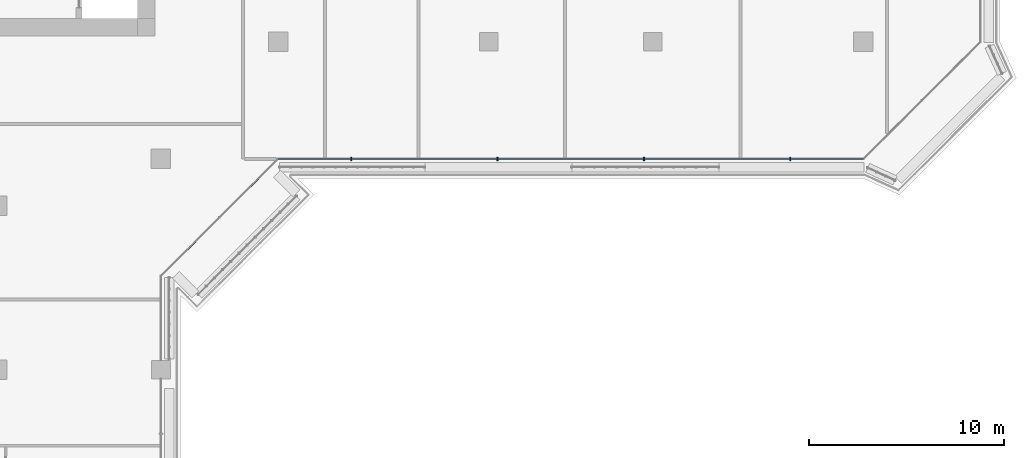
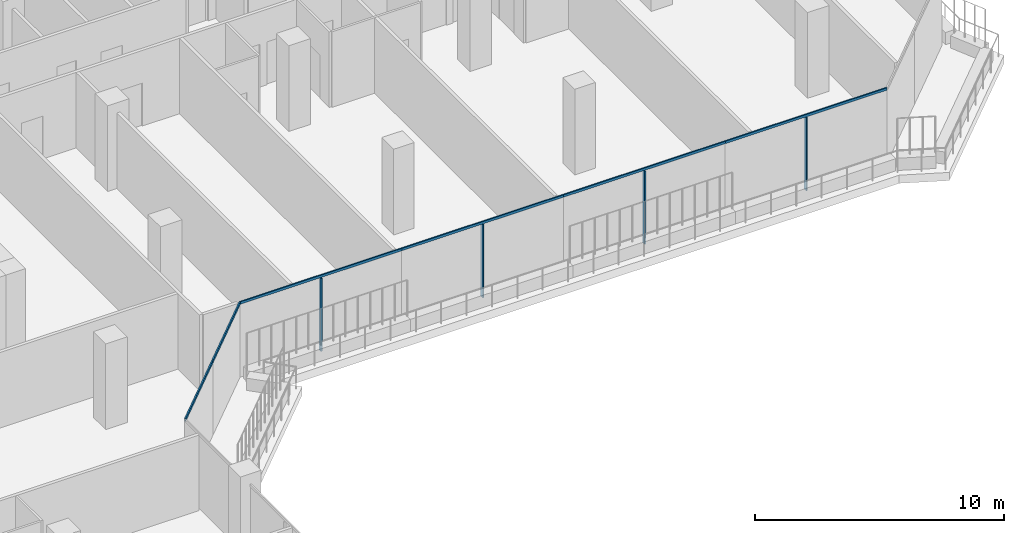
# One storey, part 3 of 22: 10 members, 2 elements without a shape of their own.
"""IFC4 building model written with IfcOpenShell, lengths in metres."""

from ifc_helpers import new_model, si_unit, direction, frame, origin, origin_2d, place, context, subcontext, project, spatial, rectangle, extrude, material, layer, layer_set, material_profile, profile_set, type_object, element, aggregate, save


model = new_model("IFC4")

# Units and contexts
model_context = context("Model", 3, precision=1e-05, world=origin(), true_north=direction((0.0, 1.0)))
body_context = subcontext(model_context, "Body", "Model", "MODEL_VIEW")
ifc_project = project(units=[si_unit("LENGTHUNIT", "METRE"), si_unit("AREAUNIT", "SQUARE_METRE"), si_unit("VOLUMEUNIT", "CUBIC_METRE"), si_unit("PLANEANGLEUNIT", "RADIAN"), si_unit("MASSUNIT", "GRAM", prefix="KILO")], contexts=[model_context])

# Site, building, storey
site_placement = place(None, origin())
site = spatial("IfcSite", under=ifc_project, at=site_placement, CompositionType="ELEMENT")
building_placement = place(site_placement, origin())
building = spatial("IfcBuilding", under=site, at=building_placement, Name="Kawkab Arch Medical Tower", CompositionType="ELEMENT")
storey_placement = place(building_placement, frame((0.0, 0.0, 208.800048828125)))
storey = spatial("IfcBuildingStorey", under=building, at=storey_placement, Name="L48", CompositionType="ELEMENT", Elevation=208.800048828125)

# Curtain wall, members
ifc_material_1 = material(Name="Bronze anodised aluminium curtain wall frame", Category="aluminium")
ifc_layer_1 = layer(ifc_material_1, 0.159912109375)
ifc_layer_set_1 = layer_set([ifc_layer_1], Name="Bronze anodised aluminium curtain wall frame")
curtain_wall_type_1 = type_object("IfcCurtainWallType", Name="CW1 ward curtain wall", PredefinedType="NOTDEFINED", material=ifc_layer_set_1)
placement = place(storey_placement, origin())
curtain_wall_1 = element("IfcCurtainWall", 1, at=placement, inside=storey, type_object=curtain_wall_type_1, Name="CW1 Ward curtain wall R07", PredefinedType="NOTDEFINED")
ifc_material_2 = material(Name="Bronze anodised aluminium curtain wall frame", Category="aluminium")
ifc_material_profile_1 = material_profile(ifc_material_2, rectangle(XDim=0.179931640625, YDim=0.06005859375, at=origin_2d()), Name="AL 60x180")
ifc_profile_set_1 = profile_set([ifc_material_profile_1], Name="Bronze anodised aluminium curtain wall frame")
member_type_1 = type_object("IfcMemberType", Name="CW1 mullion 60 x 180", PredefinedType="MULLION", material=ifc_profile_set_1)
member_1_placement = place(storey_placement, frame((34.949951171875, -31.199951171875, 0.0), z_axis=(0.0, 0.0, 1.0), x_axis=(0.0, 1.0, 0.0)))
member_1 = element("IfcMember", 2, at=member_1_placement, type_object=member_type_1, Name="CW1 mullion 1.1", PredefinedType="MULLION", context=body_context, shape_type="SweptSolid", body=[
    extrude(rectangle(XDim=0.179931640625, YDim=0.06005859375, at=origin_2d()), origin(), (0.0, 0.0, 1.0), 3.579833984375),
])
member_2_placement = place(storey_placement, frame((42.449951171875, -31.199951171875, 0.0), z_axis=(0.0, 0.0, 1.0), x_axis=(0.0, 1.0, 0.0)))
member_2 = element("IfcMember", 3, at=member_2_placement, type_object=member_type_1, Name="CW1 mullion 2.1", PredefinedType="MULLION", context=body_context, shape_type="SweptSolid", body=[
    extrude(rectangle(XDim=0.179931640625, YDim=0.06005859375, at=origin_2d()), origin(), (0.0, 0.0, 1.0), 3.579833984375),
])
member_3_placement = place(storey_placement, frame((49.949951171875, -31.199951171875, 0.0), z_axis=(0.0, 0.0, 1.0), x_axis=(0.0, 1.0, 0.0)))
member_3 = element("IfcMember", 4, at=member_3_placement, type_object=member_type_1, Name="CW1 mullion 3.1", PredefinedType="MULLION", context=body_context, shape_type="SweptSolid", body=[
    extrude(rectangle(XDim=0.179931640625, YDim=0.06005859375, at=origin_2d()), origin(), (0.0, 0.0, 1.0), 3.579833984375),
])
member_4_placement = place(storey_placement, frame((57.449951171875, -31.199951171875, 0.0), z_axis=(0.0, 0.0, 1.0), x_axis=(0.0, 1.0, 0.0)))
member_4 = element("IfcMember", 5, at=member_4_placement, type_object=member_type_1, Name="CW1 mullion 4.1", PredefinedType="MULLION", context=body_context, shape_type="SweptSolid", body=[
    extrude(rectangle(XDim=0.179931640625, YDim=0.06005859375, at=origin_2d()), origin(), (0.0, 0.0, 1.0), 3.579833984375),
])
ifc_material_3 = material(Name="Bronze anodised aluminium curtain wall frame", Category="aluminium")
ifc_material_profile_2 = material_profile(ifc_material_3, rectangle(XDim=0.06005859375, YDim=0.1201171875, at=origin_2d()), Name="AL 60x120")
ifc_profile_set_2 = profile_set([ifc_material_profile_2], Name="Bronze anodised aluminium curtain wall frame")
member_type_2 = type_object("IfcMemberType", Name="CW1 transom 120 x 60", PredefinedType="USERDEFINED", material=ifc_profile_set_2)
member_5_placement = place(storey_placement, frame((31.199951171875, -31.199951171875, 3.639892578125), z_axis=(1.0, 0.0, 0.0), x_axis=(0.0, 1.0, 0.0)))
member_5 = element("IfcMember", 6, at=member_5_placement, type_object=member_type_2, Name="CW1 transom 1", ObjectType="TRANSOM", PredefinedType="USERDEFINED", context=body_context, shape_type="SweptSolid", body=[
    extrude(rectangle(XDim=0.06005859375, YDim=0.1201171875, at=origin_2d()), origin(), (0.0, 0.0, 1.0), 7.5),
])
member_6_placement = place(storey_placement, frame((38.699951171875, -31.199951171875, 3.639892578125), z_axis=(1.0, 0.0, 0.0), x_axis=(0.0, 1.0, 0.0)))
member_6 = element("IfcMember", 7, at=member_6_placement, type_object=member_type_2, Name="CW1 transom 2", ObjectType="TRANSOM", PredefinedType="USERDEFINED", context=body_context, shape_type="SweptSolid", body=[
    extrude(rectangle(XDim=0.06005859375, YDim=0.1201171875, at=origin_2d()), origin(), (0.0, 0.0, 1.0), 7.5),
])
member_7_placement = place(storey_placement, frame((46.199951171875, -31.199951171875, 3.639892578125), z_axis=(1.0, 0.0, 0.0), x_axis=(0.0, 1.0, 0.0)))
member_7 = element("IfcMember", 8, at=member_7_placement, type_object=member_type_2, Name="CW1 transom 3", ObjectType="TRANSOM", PredefinedType="USERDEFINED", context=body_context, shape_type="SweptSolid", body=[
    extrude(rectangle(XDim=0.06005859375, YDim=0.1201171875, at=origin_2d()), origin(), (0.0, 0.0, 1.0), 7.5),
])
member_8_placement = place(storey_placement, frame((53.699951171875, -31.199951171875, 3.639892578125), z_axis=(1.0, 0.0, 0.0), x_axis=(0.0, 1.0, 0.0)))
member_8 = element("IfcMember", 9, at=member_8_placement, type_object=member_type_2, Name="CW1 transom 4", ObjectType="TRANSOM", PredefinedType="USERDEFINED", context=body_context, shape_type="SweptSolid", body=[
    extrude(rectangle(XDim=0.06005859375, YDim=0.1201171875, at=origin_2d()), origin(), (0.0, 0.0, 1.0), 7.5),
])
aggregate(curtain_wall_1, [member_5, member_1, member_6, member_2, member_7, member_3, member_8, member_4])

ifc_material_4 = material(Name="Bronze anodised aluminium curtain wall frame", Category="aluminium")
ifc_layer_2 = layer(ifc_material_4, 0.159912109375)
ifc_layer_set_2 = layer_set([ifc_layer_2], Name="Bronze anodised aluminium curtain wall frame")
curtain_wall_type_2 = type_object("IfcCurtainWallType", Name="CW2 chamfer curtain wall", PredefinedType="NOTDEFINED", material=ifc_layer_set_2)
curtain_wall_2 = element("IfcCurtainWall", 10, at=placement, inside=storey, type_object=curtain_wall_type_2, Name="CW2 Chamfer curtain wall R06", PredefinedType="NOTDEFINED")
ifc_material_5 = material(Name="Bronze anodised aluminium curtain wall frame", Category="aluminium")
ifc_material_profile_3 = material_profile(ifc_material_5, rectangle(XDim=0.06005859375, YDim=0.139892578125, at=origin_2d()), Name="AL 60x140")
ifc_profile_set_3 = profile_set([ifc_material_profile_3], Name="Bronze anodised aluminium curtain wall frame")
member_type_3 = type_object("IfcMemberType", Name="CW2 transom 140 x 60", PredefinedType="USERDEFINED", material=ifc_profile_set_3)
member_9_placement = place(storey_placement, frame((25.199951171875, -37.199951171875, 3.6298828125), z_axis=(0.707106781187, 0.707106781187, 0.0), x_axis=(-0.707106781187, 0.707106781187, 0.0)))
member_9 = element("IfcMember", 11, at=member_9_placement, type_object=member_type_3, Name="CW2 transom 1", ObjectType="TRANSOM", PredefinedType="USERDEFINED", context=body_context, shape_type="SweptSolid", body=[
    extrude(rectangle(XDim=0.06005859375, YDim=0.139892578125, at=origin_2d()), origin(), (0.0, 0.0, 1.0), 4.24267578125),
])
member_10_placement = place(storey_placement, frame((28.199951171875, -34.199951171875, 3.6298828125), z_axis=(0.707106781187, 0.707106781187, 0.0), x_axis=(-0.707106781187, 0.707106781187, 0.0)))
member_10 = element("IfcMember", 12, at=member_10_placement, type_object=member_type_3, Name="CW2 transom 2", ObjectType="TRANSOM", PredefinedType="USERDEFINED", context=body_context, shape_type="SweptSolid", body=[
    extrude(rectangle(XDim=0.06005859375, YDim=0.139892578125, at=origin_2d()), origin(), (0.0, 0.0, 1.0), 4.24267578125),
])
aggregate(curtain_wall_2, [member_9, member_10])

save(model, "model.ifc")
